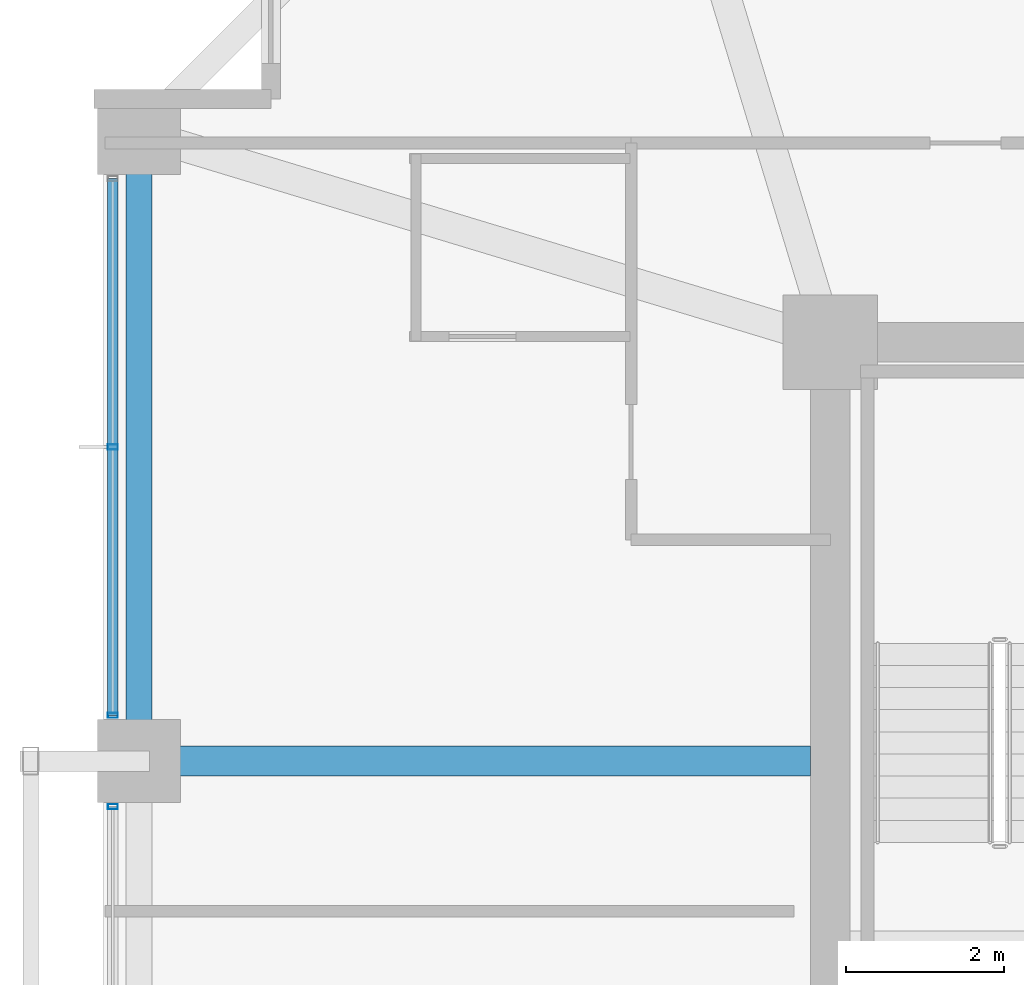
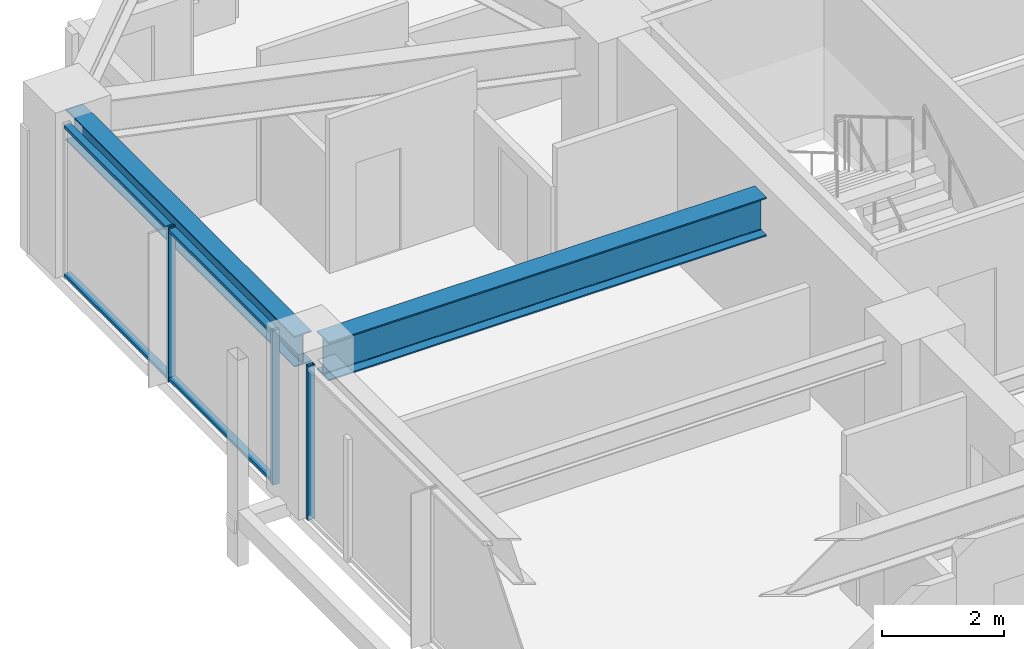
# One storey, part 11 of 34: 5 members, 2 beams, 2 elements without a shape of their own.
"""IFC4 building model written with IfcOpenShell, lengths in metres."""

from ifc_helpers import new_model, si_unit, direction, frame, origin, origin_2d, place, context, subcontext, project, spatial, hollow_rectangle, i_section, extrude, material, material_profile, profile_set, type_object, element, aggregate, save


model = new_model("IFC4")

# Units and contexts
model_context = context("Model", 3, precision=1e-05, world=origin(), true_north=direction((0.0, 1.0)))
body_context = subcontext(model_context, "Body", "Model", "MODEL_VIEW")
ifc_project = project(units=[si_unit("LENGTHUNIT", "METRE"), si_unit("AREAUNIT", "SQUARE_METRE"), si_unit("VOLUMEUNIT", "CUBIC_METRE"), si_unit("PLANEANGLEUNIT", "RADIAN"), si_unit("MASSUNIT", "GRAM", prefix="KILO")], contexts=[model_context])

# Site, building, storey
site_placement = place(None, origin())
site = spatial("IfcSite", under=ifc_project, at=site_placement, CompositionType="ELEMENT")
building_placement = place(site_placement, origin())
building = spatial("IfcBuilding", under=site, at=building_placement, Name="Kolvaren Belvedere", CompositionType="ELEMENT")
storey_placement = place(building_placement, frame((0.0, 0.0, 111.800048828125)))
storey = spatial("IfcBuildingStorey", under=building, at=storey_placement, Name="L32", CompositionType="ELEMENT", Elevation=111.800048828125)

# Beams
ifc_material_1 = material(Name="Structural steel ASTM A992 Grade 50", Category="steel")
ifc_material_profile_1 = material_profile(ifc_material_1, i_section(OverallWidth=0.381103515625, OverallDepth=0.77294921875, WebThickness=0.0166015625, FlangeThickness=0.027099609375, FilletRadius=0.02392578125, at=origin_2d()), Name="W30X173")
ifc_profile_set_1 = profile_set([ifc_material_profile_1], Name="Structural steel ASTM A992 Grade 50")
beam_type_1 = type_object("IfcBeamType", Name="BM-GIRD-W30X173", PredefinedType="BEAM", material=ifc_profile_set_1)
beam_1_placement = place(storey_placement, frame((-10.14990234375, 4.60009765625, 2.693359375), z_axis=(-1.0, 0.0, 0.0), x_axis=(0.0, -1.0, 0.0)))
element("IfcBeam", 1, at=beam_1_placement, inside=storey, type_object=beam_type_1, Name="L32 West Radial Girder P", PredefinedType="BEAM", context=body_context, shape_type="SweptSolid", body=[
    extrude(i_section(OverallWidth=0.381103515625, OverallDepth=0.77294921875, WebThickness=0.0166015625, FlangeThickness=0.027099609375, FilletRadius=0.02392578125, at=origin_2d()), origin(), (0.0, 0.0, 1.0), 8.263916015625),
])
ifc_material_2 = material(Name="Structural steel ASTM A992 Grade 50", Category="steel")
ifc_material_profile_2 = material_profile(ifc_material_2, i_section(OverallWidth=0.324951171875, OverallDepth=0.615966796875, WebThickness=0.013916015625, FlangeThickness=0.021484375, FilletRadius=0.02001953125, at=origin_2d()), Name="W24X117")
ifc_profile_set_2 = profile_set([ifc_material_profile_2], Name="Structural steel ASTM A992 Grade 50")
beam_type_2 = type_object("IfcBeamType", Name="BM-SPAN-W24X117", PredefinedType="SPANDREL", material=ifc_profile_set_2)
beam_2_placement = place(storey_placement, frame((-18.64990234375, 12.313720703125, 2.77197265625), z_axis=(0.0, -1.0, 0.0), x_axis=(1.0, 0.0, 0.0)))
element("IfcBeam", 2, at=beam_2_placement, inside=storey, type_object=beam_type_2, Name="L32 Perimeter Spandrel W4-W3", PredefinedType="SPANDREL", context=body_context, shape_type="SweptSolid", body=[
    extrude(i_section(OverallWidth=0.324951171875, OverallDepth=0.615966796875, WebThickness=0.013916015625, FlangeThickness=0.021484375, FilletRadius=0.02001953125, at=origin_2d()), origin(), (0.0, 0.0, 1.0), 7.4775390625),
])

# Curtain wall, member
ifc_material_3 = material(Name="Anodised pale-metal aluminium AA 6063-T6", Category="aluminium")
curtain_wall_type = type_object("IfcCurtainWallType", Name="CW-Z3-WAIST", PredefinedType="NOTDEFINED", material=ifc_material_3)
curtain_wall_1_placement = place(storey_placement, origin())
curtain_wall_1 = element("IfcCurtainWall", 3, at=curtain_wall_1_placement, inside=storey, type_object=curtain_wall_type, Name="L32 Unitised Curtain Wall FCW-L32-W-B2", PredefinedType="NOTDEFINED")
ifc_material_4 = material(Name="Anodised pale-metal aluminium AA 6063-T6", Category="aluminium")
ifc_material_profile_3 = material_profile(ifc_material_4, hollow_rectangle(XDim=0.06494140625, YDim=0.1298828125, WallThickness=0.00390625, at=origin_2d()), Name="ALU-MUL-130X65")
ifc_profile_set_3 = profile_set([ifc_material_profile_3], Name="Anodised pale-metal aluminium AA 6063-T6")
member_type_1 = type_object("IfcMemberType", Name="CW-MUL-130", PredefinedType="MULLION", material=ifc_profile_set_3)
member_1_placement = place(storey_placement, frame((-18.97998046875, 4.0224609375, 0.0), z_axis=(0.0, 0.0, 1.0), x_axis=(0.0, 1.0, 0.0)))
member_1 = element("IfcMember", 4, at=member_1_placement, type_object=member_type_1, Name="FCW-L32-W-B2 Unitised Mullion 3", PredefinedType="MULLION", context=body_context, shape_type="SweptSolid", body=[
    extrude(hollow_rectangle(XDim=0.06494140625, YDim=0.1298828125, WallThickness=0.00390625, at=origin_2d()), origin(), (0.0, 0.0, 1.0), 3.079833984375),
])
aggregate(curtain_wall_1, [member_1])

# Curtain wall, members
curtain_wall_2_placement = place(storey_placement, origin())
curtain_wall_2 = element("IfcCurtainWall", 5, at=curtain_wall_2_placement, inside=storey, type_object=curtain_wall_type, Name="L32 Unitised Curtain Wall FCW-L32-W-B3", PredefinedType="NOTDEFINED")
member_2_placement = place(storey_placement, frame((-18.97998046875, 5.177490234375, 0.0), z_axis=(0.0, 0.0, 1.0), x_axis=(0.0, 1.0, 0.0)))
member_2 = element("IfcMember", 6, at=member_2_placement, type_object=member_type_1, Name="FCW-L32-W-B3 Unitised Mullion 1", PredefinedType="MULLION", context=body_context, shape_type="SweptSolid", body=[
    extrude(hollow_rectangle(XDim=0.06494140625, YDim=0.1298828125, WallThickness=0.00390625, at=origin_2d()), origin(), (0.0, 0.0, 1.0), 3.079833984375),
])
member_3_placement = place(storey_placement, frame((-18.97998046875, 8.574951171875, 0.0), z_axis=(0.0, 0.0, 1.0), x_axis=(0.0, 1.0, 0.0)))
member_3 = element("IfcMember", 7, at=member_3_placement, type_object=member_type_1, Name="FCW-L32-W-B3 Unitised Mullion 2", PredefinedType="MULLION", context=body_context, shape_type="SweptSolid", body=[
    extrude(hollow_rectangle(XDim=0.06494140625, YDim=0.1298828125, WallThickness=0.00390625, at=origin_2d()), origin(), (0.0, 0.0, 1.0), 3.079833984375),
])
ifc_material_5 = material(Name="Anodised pale-metal aluminium AA 6063-T6", Category="aluminium")
ifc_material_profile_4 = material_profile(ifc_material_5, hollow_rectangle(XDim=0.06005859375, YDim=0.1298828125, WallThickness=0.00390625, at=origin_2d()), Name="ALU-TRN-130X60")
ifc_profile_set_4 = profile_set([ifc_material_profile_4], Name="Anodised pale-metal aluminium AA 6063-T6")
member_type_2 = type_object("IfcMemberType", Name="CW-TRN-130", PredefinedType="USERDEFINED", material=ifc_profile_set_4)
member_4_placement = place(storey_placement, frame((-18.97998046875, 5.177490234375, 0.06005859375), z_axis=(0.0, 1.0, 0.0), x_axis=(0.0, 0.0, 1.0)))
member_4 = element("IfcMember", 8, at=member_4_placement, type_object=member_type_2, Name="FCW-L32-W-B3 Sill Transom", ObjectType="TRANSOM", PredefinedType="USERDEFINED", context=body_context, shape_type="SweptSolid", body=[
    extrude(hollow_rectangle(XDim=0.06005859375, YDim=0.1298828125, WallThickness=0.00390625, at=origin_2d()), origin(), (0.0, 0.0, 1.0), 6.794921875),
])
member_5_placement = place(storey_placement, frame((-18.97998046875, 5.177490234375, 3.02001953125), z_axis=(0.0, 1.0, 0.0), x_axis=(0.0, 0.0, 1.0)))
member_5 = element("IfcMember", 9, at=member_5_placement, type_object=member_type_2, Name="FCW-L32-W-B3 Head Transom", ObjectType="TRANSOM", PredefinedType="USERDEFINED", context=body_context, shape_type="SweptSolid", body=[
    extrude(hollow_rectangle(XDim=0.06005859375, YDim=0.1298828125, WallThickness=0.00390625, at=origin_2d()), origin(), (0.0, 0.0, 1.0), 6.794921875),
])
aggregate(curtain_wall_2, [member_2, member_3, member_4, member_5])

save(model, "model.ifc")
